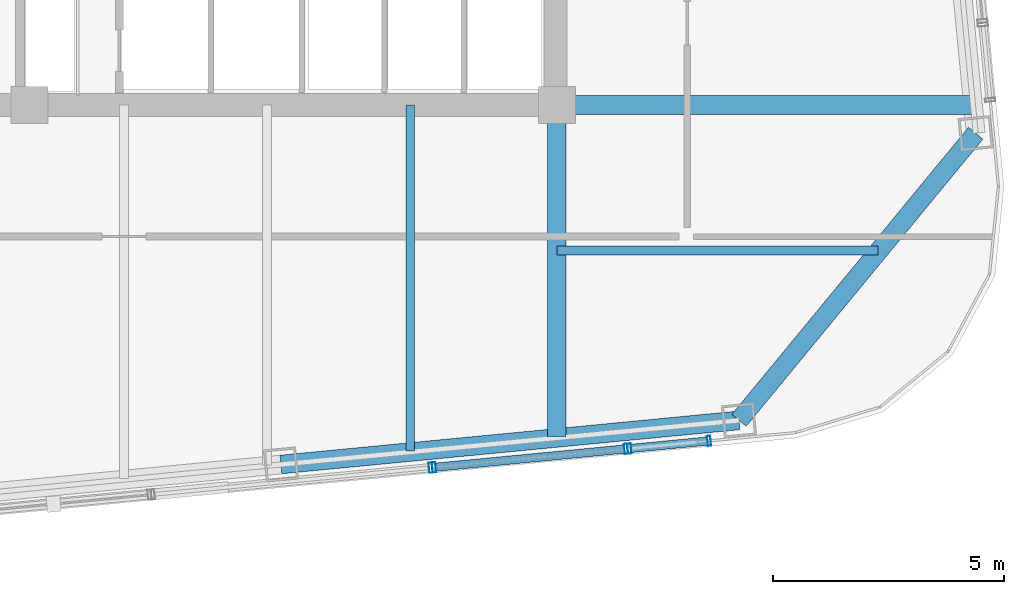
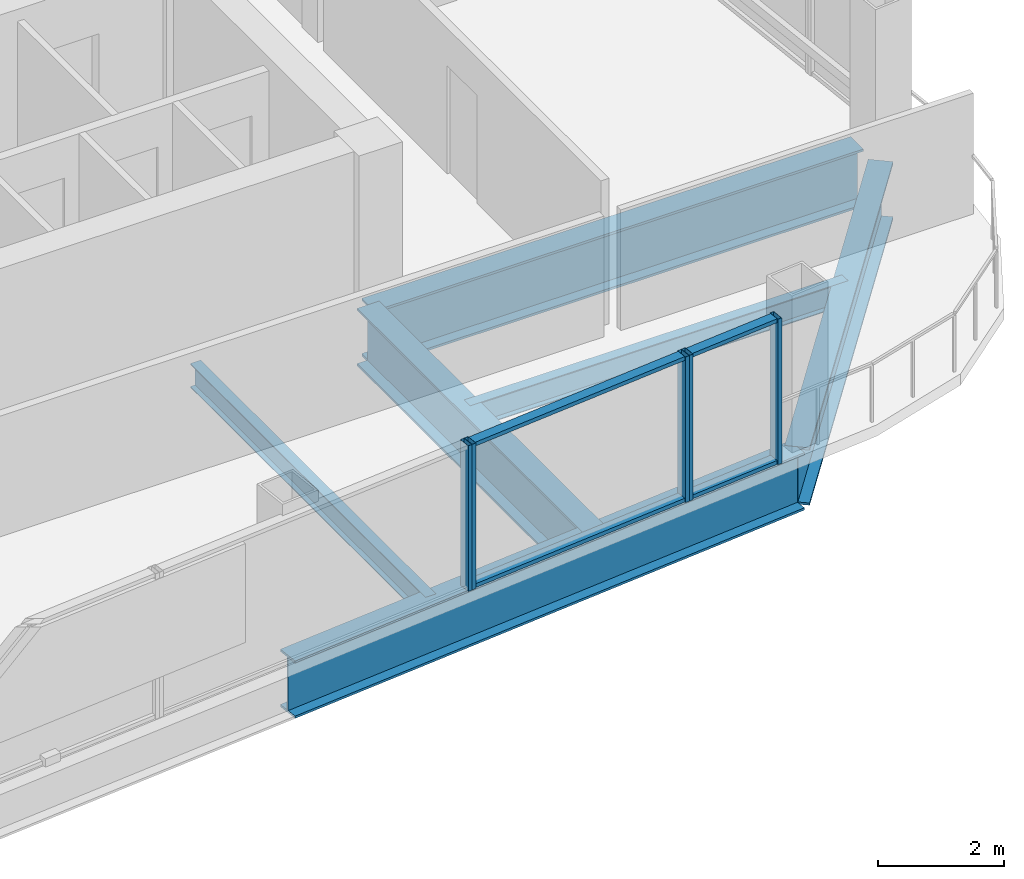
# One storey, part 13 of 28: 9 members, 6 beams, 3 elements without a shape of their own.
"""IFC4 building model written with IfcOpenShell, lengths in metres."""

from ifc_helpers import new_model, si_unit, direction, frame, origin, origin_2d, place, context, subcontext, project, spatial, hollow_rectangle, i_section, extrude, material, layer, layer_set, material_profile, profile_set, type_object, element, aggregate, save


model = new_model("IFC4")

# Units and contexts
model_context = context("Model", 3, precision=1e-05, world=origin(), true_north=direction((0.0, 1.0)))
body_context = subcontext(model_context, "Body", "Model", "MODEL_VIEW")
ifc_project = project(units=[si_unit("LENGTHUNIT", "METRE"), si_unit("AREAUNIT", "SQUARE_METRE"), si_unit("VOLUMEUNIT", "CUBIC_METRE"), si_unit("PLANEANGLEUNIT", "RADIAN"), si_unit("MASSUNIT", "GRAM", prefix="KILO")], contexts=[model_context])

# Site, building, storey
site_placement = place(None, origin())
site = spatial("IfcSite", under=ifc_project, at=site_placement, CompositionType="ELEMENT")
building_placement = place(site_placement, origin())
building = spatial("IfcBuilding", under=site, at=building_placement, Name="Qhalaya Broadcast Tower", CompositionType="ELEMENT")
storey_placement = place(building_placement, frame((0.0, 0.0, 159.199951171875)))
storey = spatial("IfcBuildingStorey", under=building, at=storey_placement, Name="L46", CompositionType="ELEMENT", Elevation=159.199951171875)

# Beams
ifc_material_1 = material(Name="Structural Steel ASTM A992 Grade 50", Category="steel")
ifc_material_profile_1 = material_profile(ifc_material_1, i_section(OverallWidth=0.19189453125, OverallDepth=0.462890625, WebThickness=0.010498046875, FlangeThickness=0.017578125, at=origin_2d()), Name="W18X60")
ifc_profile_set_1 = profile_set([ifc_material_profile_1], Name="Structural Steel ASTM A992 Grade 50")
beam_type_1 = type_object("IfcBeamType", Name="Composite Floor Joist J03", PredefinedType="JOIST", material=ifc_profile_set_1)
beam_1_placement = place(storey_placement, frame((6.199951171875, -16.24755859375, -0.451416015625), z_axis=(0.0, 1.0, 0.0), x_axis=(-1.0, 0.0, 0.0)))
element("IfcBeam", 1, at=beam_1_placement, inside=storey, type_object=beam_type_1, Name="L46 J03 L46-JNS5-1", PredefinedType="JOIST", context=body_context, shape_type="SweptSolid", body=[
    extrude(i_section(OverallWidth=0.19189453125, OverallDepth=0.462890625, WebThickness=0.010498046875, FlangeThickness=0.017578125, at=origin_2d()), origin(), (0.0, 0.0, 1.0), 7.49755859375),
])
beam_2_placement = place(storey_placement, frame((9.375, -11.89990234375, -0.451416015625), z_axis=(1.0, 0.0, 0.0), x_axis=(0.0, 1.0, 0.0)))
element("IfcBeam", 2, at=beam_2_placement, inside=storey, type_object=beam_type_1, Name="L46 J03 L46-JWE2E-1", PredefinedType="JOIST", context=body_context, shape_type="SweptSolid", body=[
    extrude(i_section(OverallWidth=0.19189453125, OverallDepth=0.462890625, WebThickness=0.010498046875, FlangeThickness=0.017578125, at=origin_2d()), origin(), (0.0, 0.0, 1.0), 6.95458984375),
])
ifc_material_profile_2 = material_profile(ifc_material_1, i_section(OverallWidth=0.404052734375, OverallDepth=1.117919921875, WebThickness=0.026123046875, FlangeThickness=0.044921875, at=origin_2d()), Name="W44X335")
ifc_profile_set_2 = profile_set([ifc_material_profile_2], Name="Structural Steel ASTM A992 Grade 50")
beam_type_2 = type_object("IfcBeamType", Name="Podium Long-Span Primary Girder PG1", PredefinedType="USERDEFINED", material=ifc_profile_set_2)
beam_3_placement = place(storey_placement, frame((3.399658203125, -16.537353515625, -0.779052734375), z_axis=(0.995395510024, 0.095852900965, 0.0), x_axis=(-0.095852900965, 0.995395510024, 0.0)))
element("IfcBeam", 3, at=beam_3_placement, inside=storey, type_object=beam_type_2, Name="L46 PG1 L46-SPR-03", ObjectType="GIRDER", PredefinedType="USERDEFINED", context=body_context, shape_type="SweptSolid", body=[
    extrude(i_section(OverallWidth=0.404052734375, OverallDepth=1.117919921875, WebThickness=0.026123046875, FlangeThickness=0.044921875, at=origin_2d()), origin(), (0.0, 0.0, 1.0), 9.966552734375),
])
beam_4_placement = place(storey_placement, frame((13.3203125, -15.58203125, -0.779052734375), z_axis=(0.636085107008, 0.771618906354, 0.0), x_axis=(-0.771618906354, 0.636085107008, 0.0)))
element("IfcBeam", 4, at=beam_4_placement, inside=storey, type_object=beam_type_2, Name="L46 PG1 L46-SPR-04", ObjectType="GIRDER", PredefinedType="USERDEFINED", context=body_context, shape_type="SweptSolid", body=[
    extrude(i_section(OverallWidth=0.404052734375, OverallDepth=1.117919921875, WebThickness=0.026123046875, FlangeThickness=0.044921875, at=origin_2d()), origin(), (0.0, 0.0, 1.0), 8.06103515625),
])
beam_5_placement = place(storey_placement, frame((9.375, -15.94189453125, -0.779052734375), z_axis=(0.0, 1.0, 0.0), x_axis=(-1.0, 0.0, 0.0)))
element("IfcBeam", 5, at=beam_5_placement, inside=storey, type_object=beam_type_2, Name="L46 PG1 L46-PGXS2-1", ObjectType="GIRDER", PredefinedType="USERDEFINED", context=body_context, shape_type="SweptSolid", body=[
    extrude(i_section(OverallWidth=0.404052734375, OverallDepth=1.117919921875, WebThickness=0.026123046875, FlangeThickness=0.044921875, at=origin_2d()), origin(), (0.0, 0.0, 1.0), 7.19189453125),
])
beam_6_placement = place(storey_placement, frame((9.375, -8.75, -0.779052734375), z_axis=(1.0, 0.0, 0.0), x_axis=(0.0, 1.0, 0.0)))
element("IfcBeam", 6, at=beam_6_placement, inside=storey, type_object=beam_type_2, Name="L46 PG1 L46-PGYE1-1", ObjectType="GIRDER", PredefinedType="USERDEFINED", context=body_context, shape_type="SweptSolid", body=[
    extrude(i_section(OverallWidth=0.404052734375, OverallDepth=1.117919921875, WebThickness=0.026123046875, FlangeThickness=0.044921875, at=origin_2d()), origin(), (0.0, 0.0, 1.0), 8.993896484375),
])

# Curtain wall, member
ifc_material_2 = material(Name="Fired Architectural Terracotta", Category="masonry")
ifc_layer_1 = layer(ifc_material_2, 0.219970703125, Name="Fired Architectural Terracotta")
ifc_layer_set_1 = layer_set([ifc_layer_1], Name="Fired Architectural Terracotta")
curtain_wall_type_1 = type_object("IfcCurtainWallType", Name="Block-Cap Unitised Terracotta Spandrel Wall CW-07", PredefinedType="NOTDEFINED", material=ifc_layer_set_1)
curtain_wall_1_placement = place(storey_placement, origin())
curtain_wall_1 = element("IfcCurtainWall", 7, at=curtain_wall_1_placement, inside=storey, type_object=curtain_wall_type_1, Name="L46 Unitised Curtain Wall L46-CW-S5", PredefinedType="NOTDEFINED")
ifc_material_3 = material(Name="Anodised Aluminium 6063-T6", Category="aluminium")
ifc_material_profile_3 = material_profile(ifc_material_3, hollow_rectangle(XDim=0.074951171875, YDim=0.219970703125, WallThickness=0.00390625, at=origin_2d()), Name="ALU-MUL 75x220x4")
ifc_profile_set_3 = profile_set([ifc_material_profile_3], Name="Anodised Aluminium 6063-T6")
member_type_1 = type_object("IfcMemberType", Name="Unitised Curtain-Wall Mullion M01", PredefinedType="MULLION", material=ifc_profile_set_3)
member_1_placement = place(storey_placement, frame((6.642333984375, -16.606689453125, 0.0), z_axis=(0.0, 0.0, 1.0), x_axis=(0.995395960619, 0.095848221597, 0.0)))
member_1 = element("IfcMember", 8, at=member_1_placement, type_object=member_type_1, Name="CW-07 mullion 2", PredefinedType="MULLION", context=body_context, shape_type="SweptSolid", body=[
    extrude(hollow_rectangle(XDim=0.074951171875, YDim=0.219970703125, WallThickness=0.00390625, at=origin_2d()), origin(), (0.0, 0.0, 1.0), 2.830078125),
])
aggregate(curtain_wall_1, [member_1])

# Curtain wall, members
ifc_material_4 = material(Name="Solar-Control Low-E Triple Glazing", Category="glass")
ifc_layer_2 = layer(ifc_material_4, 0.219970703125, Name="Solar-Control Low-E Triple Glazing")
ifc_layer_set_2 = layer_set([ifc_layer_2], Name="Solar-Control Low-E Triple Glazing")
curtain_wall_type_2 = type_object("IfcCurtainWallType", Name="Even-Block 4-Storey Double-Module Curtain Wall CW-03", PredefinedType="NOTDEFINED", material=ifc_layer_set_2)
curtain_wall_2_placement = place(storey_placement, origin())
curtain_wall_2 = element("IfcCurtainWall", 9, at=curtain_wall_2_placement, inside=storey, type_object=curtain_wall_type_2, Name="L46 Unitised Curtain Wall L46-CW-S6", PredefinedType="NOTDEFINED")
member_2_placement = place(storey_placement, frame((6.717041015625, -16.599609375, 0.0), z_axis=(0.0, 0.0, 1.0), x_axis=(0.995397339057, 0.095833905262, 0.0)))
member_2 = element("IfcMember", 10, at=member_2_placement, type_object=member_type_1, Name="CW-03 mullion 1", PredefinedType="MULLION", context=body_context, shape_type="SweptSolid", body=[
    extrude(hollow_rectangle(XDim=0.074951171875, YDim=0.219970703125, WallThickness=0.00390625, at=origin_2d()), origin(), (0.0, 0.0, 1.0), 2.830078125),
])
member_3_placement = place(storey_placement, frame((10.872802734375, -16.199462890625, 0.0), z_axis=(0.0, 0.0, 1.0), x_axis=(0.995397339057, 0.095833905262, 0.0)))
member_3 = element("IfcMember", 11, at=member_3_placement, type_object=member_type_1, Name="CW-03 mullion 2", PredefinedType="MULLION", context=body_context, shape_type="SweptSolid", body=[
    extrude(hollow_rectangle(XDim=0.074951171875, YDim=0.219970703125, WallThickness=0.00390625, at=origin_2d()), origin(), (0.0, 0.0, 1.0), 2.830078125),
])

curtain_wall_3_placement = place(storey_placement, origin())
curtain_wall_3 = element("IfcCurtainWall", 12, at=curtain_wall_3_placement, inside=storey, type_object=curtain_wall_type_1, Name="L46 Unitised Curtain Wall L46-CW-S7", PredefinedType="NOTDEFINED")
member_4_placement = place(storey_placement, frame((10.947509765625, -16.1923828125, 0.0), z_axis=(0.0, 0.0, 1.0), x_axis=(0.995395236376, 0.095855742651, 0.0)))
member_4 = element("IfcMember", 13, at=member_4_placement, type_object=member_type_1, Name="CW-07 mullion 1", PredefinedType="MULLION", context=body_context, shape_type="SweptSolid", body=[
    extrude(hollow_rectangle(XDim=0.074951171875, YDim=0.219970703125, WallThickness=0.00390625, at=origin_2d()), origin(), (0.0, 0.0, 1.0), 2.830078125),
])
member_5_placement = place(storey_placement, frame((12.67236328125, -16.026123046875, 0.0), z_axis=(0.0, 0.0, 1.0), x_axis=(0.995395236376, 0.095855742651, 0.0)))
member_5 = element("IfcMember", 14, at=member_5_placement, type_object=member_type_1, Name="CW-07 mullion 2", PredefinedType="MULLION", context=body_context, shape_type="SweptSolid", body=[
    extrude(hollow_rectangle(XDim=0.074951171875, YDim=0.219970703125, WallThickness=0.00390625, at=origin_2d()), origin(), (0.0, 0.0, 1.0), 2.830078125),
])

# Member
ifc_material_profile_4 = material_profile(ifc_material_3, hollow_rectangle(XDim=0.074951171875, YDim=0.179931640625, WallThickness=0.00390625, at=origin_2d()), Name="ALU-TRN 75x180x4")
ifc_profile_set_4 = profile_set([ifc_material_profile_4], Name="Anodised Aluminium 6063-T6")
member_type_2 = type_object("IfcMemberType", Name="Unitised Curtain-Wall Transom T01", PredefinedType="USERDEFINED", material=ifc_profile_set_4)
member_6_placement = place(storey_placement, frame((6.75439453125, -16.595947265625, 0.03759765625), z_axis=(0.995399423143, 0.095812256032, 0.0), x_axis=(0.0, 0.0, 1.0)))
member_6 = element("IfcMember", 15, at=member_6_placement, type_object=member_type_2, Name="CW-03 transom 1.1", ObjectType="TRANSOM", PredefinedType="USERDEFINED", context=body_context, shape_type="SweptSolid", body=[
    extrude(hollow_rectangle(XDim=0.074951171875, YDim=0.179931640625, WallThickness=0.00390625, at=origin_2d()), origin(), (0.0, 0.0, 1.0), 4.099853515625),
])

member_7_placement = place(storey_placement, frame((6.75439453125, -16.595947265625, 2.79248046875), z_axis=(0.995399423143, 0.095812256032, 0.0), x_axis=(0.0, 0.0, 1.0)))
member_7 = element("IfcMember", 16, at=member_7_placement, type_object=member_type_2, Name="CW-03 transom 1.2", ObjectType="TRANSOM", PredefinedType="USERDEFINED", context=body_context, shape_type="SweptSolid", body=[
    extrude(hollow_rectangle(XDim=0.074951171875, YDim=0.179931640625, WallThickness=0.00390625, at=origin_2d()), origin(), (0.0, 0.0, 1.0), 4.099853515625),
])

aggregate(curtain_wall_2, [member_2, member_3, member_6, member_7])

member_8_placement = place(storey_placement, frame((10.98486328125, -16.188720703125, 0.03759765625), z_axis=(0.995394989671, 0.095858304479, 0.0), x_axis=(0.0, 0.0, 1.0)))
member_8 = element("IfcMember", 17, at=member_8_placement, type_object=member_type_2, Name="CW-07 transom 1.1", ObjectType="TRANSOM", PredefinedType="USERDEFINED", context=body_context, shape_type="SweptSolid", body=[
    extrude(hollow_rectangle(XDim=0.074951171875, YDim=0.179931640625, WallThickness=0.00390625, at=origin_2d()), origin(), (0.0, 0.0, 1.0), 1.657958984375),
])

member_9_placement = place(storey_placement, frame((10.98486328125, -16.188720703125, 2.79248046875), z_axis=(0.995394989671, 0.095858304479, 0.0), x_axis=(0.0, 0.0, 1.0)))
member_9 = element("IfcMember", 18, at=member_9_placement, type_object=member_type_2, Name="CW-07 transom 1.2", ObjectType="TRANSOM", PredefinedType="USERDEFINED", context=body_context, shape_type="SweptSolid", body=[
    extrude(hollow_rectangle(XDim=0.074951171875, YDim=0.179931640625, WallThickness=0.00390625, at=origin_2d()), origin(), (0.0, 0.0, 1.0), 1.657958984375),
])

aggregate(curtain_wall_3, [member_4, member_5, member_8, member_9])

save(model, "model.ifc")
